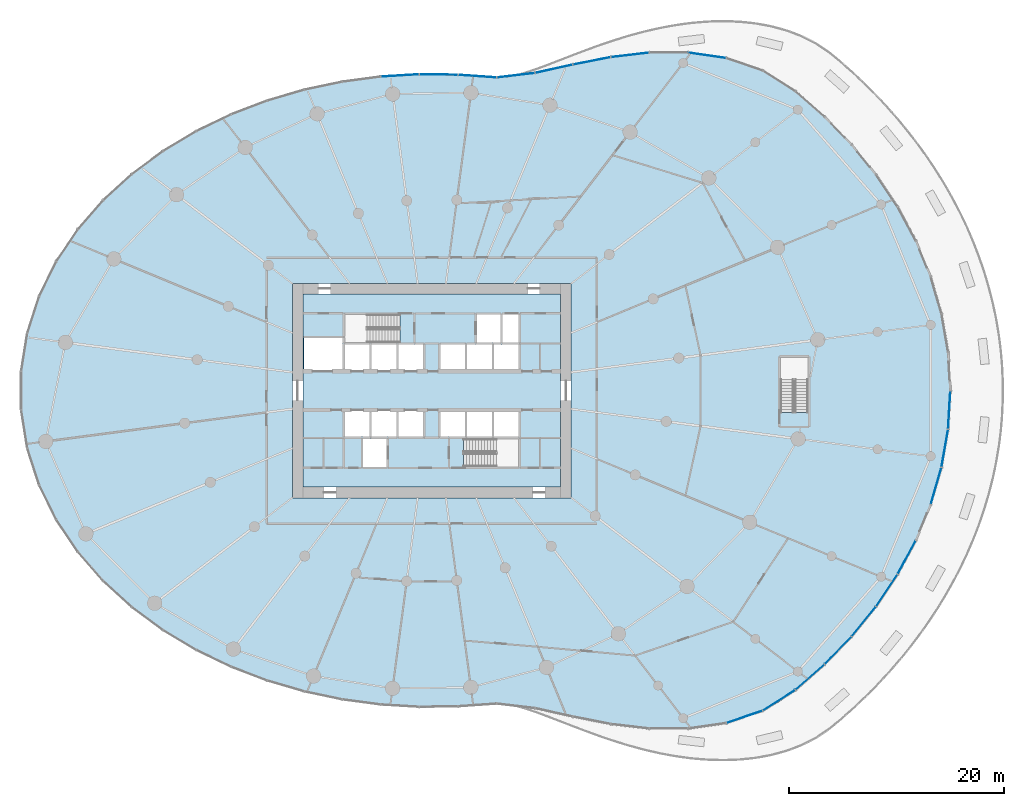
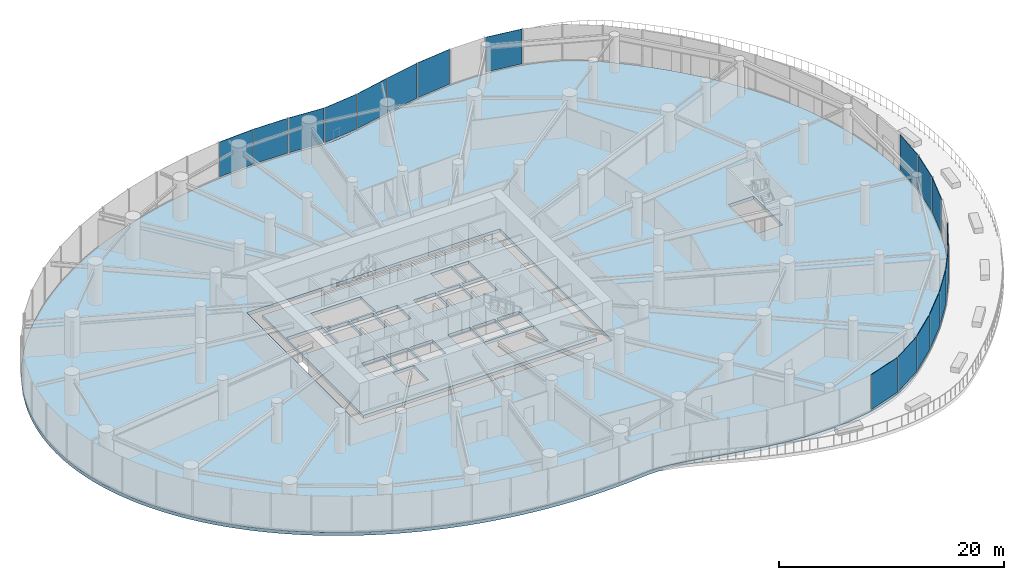
# One storey, part 10 of 21: 18 plates, 2 slabs, 5 elements without a shape of their own.
"""IFC4 building model written with IfcOpenShell, lengths in metres."""

from ifc_helpers import new_model, si_unit, direction, frame, origin, origin_2d, place, context, subcontext, project, spatial, line, indexed_curve, rectangle, outline, extrude, source, transform, mapped, material, layer, layer_set, type_object, element, aggregate, save


model = new_model("IFC4")

# Units and contexts
model_context = context("Model", 3, precision=1e-05, world=origin(), true_north=direction((0.0, 1.0)))
body_context = subcontext(model_context, "Body", "Model", "MODEL_VIEW")
ifc_project = project(units=[si_unit("LENGTHUNIT", "METRE"), si_unit("AREAUNIT", "SQUARE_METRE"), si_unit("VOLUMEUNIT", "CUBIC_METRE"), si_unit("PLANEANGLEUNIT", "RADIAN"), si_unit("MASSUNIT", "GRAM", prefix="KILO")], contexts=[model_context])

# Site, building, storey
site_placement = place(None, origin())
site = spatial("IfcSite", under=ifc_project, at=site_placement, CompositionType="ELEMENT")
building_placement = place(site_placement, origin())
building = spatial("IfcBuilding", under=site, at=building_placement, Name="Spindrift Exchange Tower", CompositionType="ELEMENT")
storey_placement = place(building_placement, frame((0.0, 0.0, 9.39990234375)))
storey = spatial("IfcBuildingStorey", under=building, at=storey_placement, Name="L02", CompositionType="ELEMENT", Elevation=9.39990234375)

# Slabs
ifc_material_1 = material(Name="Concrete 50 MPa", Category="concrete")
ifc_layer_1 = layer(ifc_material_1, 0.35009765625)
ifc_layer_set_1 = layer_set([ifc_layer_1], Name="RC Floor Slab 350 Concrete 50 MPa")
slab_type_1 = type_object("IfcSlabType", Name="RC Floor Slab 350 Concrete 50 MPa", PredefinedType="FLOOR", material=ifc_layer_set_1)
slab_1_placement = place(storey_placement, frame((0.0, 0.0, -0.349853515625)))
element("IfcSlab", 1, at=slab_1_placement, inside=storey, type_object=slab_type_1, Name="Floor slab L02", PredefinedType="FLOOR", context=body_context, shape_type="SweptSolid", body=[
    extrude(outline(indexed_curve([(100.35009765625, 48.0), (100.338623046875, 48.84375), (100.304443359375, 49.686767578125), (100.24755859375, 50.528564453125), (100.168212890625, 51.3681640625), (100.06640625, 52.205322265625), (99.942138671875, 53.038818359375), (99.796142578125, 53.86865234375), (99.628173828125, 54.693603515625), (99.43896484375, 55.513671875), (99.228515625, 56.32763671875), (98.99755859375, 57.135498046875), (98.74609375, 57.936279296875), (98.47509765625, 58.7294921875), (98.1845703125, 59.51513671875), (97.875, 60.292236328125), (97.547119140625, 61.060302734375), (97.201416015625, 61.8193359375), (96.83837890625, 62.56884765625), (96.45849609375, 63.308349609375), (96.062255859375, 64.037353515625), (95.650390625, 64.755859375), (95.2236328125, 65.46337890625), (94.781982421875, 66.159912109375), (94.32666015625, 66.84521484375), (93.85791015625, 67.518798828125), (93.376220703125, 68.180419921875), (92.88232421875, 68.83056640625), (92.376708984375, 69.468505859375), (91.859619140625, 70.094482421875), (91.33203125, 70.70849609375), (90.794189453125, 71.31005859375), (90.246826171875, 71.8994140625), (89.6904296875, 72.476318359375), (89.125, 73.041259765625), (88.551513671875, 73.59375), (87.97021484375, 74.1337890625), (87.381591796875, 74.662109375), (86.785888671875, 75.177734375), (86.183837890625, 75.681396484375), (85.575439453125, 76.173095703125), (84.947509765625, 76.640869140625), (84.287841796875, 77.072021484375), (83.599853515625, 77.46728515625), (82.885986328125, 77.826416015625), (82.149658203125, 78.149658203125), (81.393310546875, 78.4375), (80.619384765625, 78.690673828125), (79.831298828125, 78.90966796875), (79.031005859375, 79.095458984375), (78.220947265625, 79.248779296875), (77.40380859375, 79.37109375), (76.58154296875, 79.462890625), (75.756591796875, 79.526123046875), (74.93115234375, 79.56201171875), (74.106689453125, 79.57177734375), (73.28564453125, 79.557373046875), (72.469482421875, 79.520263671875), (71.65966796875, 79.462158203125), (70.85791015625, 79.385009765625), (70.06591796875, 79.291015625), (69.2841796875, 79.181396484375), (68.514404296875, 79.05908203125), (67.757568359375, 78.92578125), (66.285400390625, 78.63525390625), (64.873291015625, 78.327880859375), (62.873779296875, 77.8759765625), (61.62060546875, 77.608642578125), (61.016845703125, 77.49267578125), (60.427978515625, 77.3916015625), (59.85302734375, 77.3076171875), (59.291259765625, 77.24365234375), (58.74169921875, 77.20166015625), (58.203369140625, 77.184326171875), (57.6748046875, 77.19384765625), (57.154296875, 77.232421875), (56.637939453125, 77.283447265625), (55.606201171875, 77.369384765625), (55.090576171875, 77.404052734375), (54.059814453125, 77.45751953125), (53.02978515625, 77.489501953125), (52.514892578125, 77.497314453125), (52.0, 77.5), (50.97021484375, 77.489501953125), (49.940185546875, 77.45751953125), (48.909423828125, 77.404052734375), (48.393798828125, 77.369384765625), (47.362060546875, 77.283447265625), (46.328857421875, 77.17578125), (45.811767578125, 77.11328125), (44.776611328125, 76.971923828125), (44.25830078125, 76.892578125), (43.220458984375, 76.716552734375), (42.180908203125, 76.5166015625), (41.1396484375, 76.29248046875), (40.6181640625, 76.1708984375), (39.57421875, 75.90869140625), (38.52880859375, 75.6201171875), (37.48193359375, 75.304443359375), (36.958251953125, 75.135986328125), (35.91015625, 74.778076171875), (35.385986328125, 74.587890625), (34.337890625, 74.185302734375), (33.814208984375, 73.97216796875), (32.767578125, 73.522216796875), (32.2451171875, 73.284912109375), (31.20263671875, 72.785400390625), (30.682861328125, 72.522705078125), (29.64697265625, 71.970703125), (28.61767578125, 71.38232421875), (27.596435546875, 70.756591796875), (27.089599609375, 70.429443359375), (26.0849609375, 69.745361328125), (25.587646484375, 69.38818359375), (25.093994140625, 69.021240234375), (24.604736328125, 68.643798828125), (24.119873046875, 68.256103515625), (23.639892578125, 67.85791015625), (23.165283203125, 67.44921875), (22.6962890625, 67.030029296875), (22.233642578125, 66.60009765625), (21.77734375, 66.15966796875), (21.328125, 65.70849609375), (20.886474609375, 65.24658203125), (20.452880859375, 64.77392578125), (20.02783203125, 64.29052734375), (19.61181640625, 63.796875), (19.205078125, 63.29248046875), (18.80859375, 62.777587890625), (18.4228515625, 62.252685546875), (18.04833984375, 61.71728515625), (17.685302734375, 61.172119140625), (17.334716796875, 60.6171875), (16.996826171875, 60.052490234375), (16.67236328125, 59.478759765625), (16.36181640625, 58.895751953125), (16.0654296875, 58.30419921875), (15.7841796875, 57.7041015625), (15.5185546875, 57.095947265625), (15.268798828125, 56.47998046875), (15.035400390625, 55.857177734375), (14.818603515625, 55.227294921875), (14.619384765625, 54.59130859375), (14.43798828125, 53.94921875), (14.2744140625, 53.302001953125), (14.12939453125, 52.64990234375), (14.0029296875, 51.99365234375), (13.895751953125, 51.333740234375), (13.8076171875, 50.670654296875), (13.73876953125, 50.005126953125), (13.689453125, 49.337890625), (13.659912109375, 48.669189453125), (13.64990234375, 48.0), (13.659912109375, 47.330810546875), (13.689453125, 46.662109375), (13.73876953125, 45.994873046875), (13.8076171875, 45.329345703125), (13.895751953125, 44.666259765625), (14.0029296875, 44.00634765625), (14.12939453125, 43.35009765625), (14.2744140625, 42.697998046875), (14.43798828125, 42.05078125), (14.619384765625, 41.40869140625), (14.818603515625, 40.772705078125), (15.035400390625, 40.142822265625), (15.268798828125, 39.52001953125), (15.5185546875, 38.904052734375), (15.7841796875, 38.2958984375), (16.0654296875, 37.69580078125), (16.36181640625, 37.104248046875), (16.67236328125, 36.521240234375), (16.996826171875, 35.947509765625), (17.334716796875, 35.3828125), (17.685302734375, 34.827880859375), (18.04833984375, 34.28271484375), (18.4228515625, 33.747314453125), (18.80859375, 33.222412109375), (19.205078125, 32.70751953125), (19.61181640625, 32.203125), (20.02783203125, 31.70947265625), (20.452880859375, 31.22607421875), (20.886474609375, 30.75341796875), (21.328125, 30.29150390625), (21.77734375, 29.84033203125), (22.233642578125, 29.39990234375), (22.6962890625, 28.969970703125), (23.165283203125, 28.55078125), (23.639892578125, 28.14208984375), (24.119873046875, 27.743896484375), (24.604736328125, 27.356201171875), (25.093994140625, 26.978759765625), (25.587646484375, 26.61181640625), (26.0849609375, 26.254638671875), (27.089599609375, 25.570556640625), (27.596435546875, 25.243408203125), (28.61767578125, 24.61767578125), (29.64697265625, 24.029296875), (30.682861328125, 23.477294921875), (31.20263671875, 23.214599609375), (32.2451171875, 22.715087890625), (32.767578125, 22.477783203125), (33.814208984375, 22.02783203125), (34.337890625, 21.814697265625), (35.385986328125, 21.412109375), (35.91015625, 21.221923828125), (36.958251953125, 20.864013671875), (37.48193359375, 20.695556640625), (38.52880859375, 20.3798828125), (39.57421875, 20.09130859375), (40.6181640625, 19.8291015625), (41.1396484375, 19.70751953125), (42.180908203125, 19.4833984375), (43.220458984375, 19.283447265625), (44.25830078125, 19.107421875), (44.776611328125, 19.028076171875), (45.811767578125, 18.88671875), (46.328857421875, 18.82421875), (47.362060546875, 18.716552734375), (48.393798828125, 18.630615234375), (48.909423828125, 18.595947265625), (49.940185546875, 18.54248046875), (50.97021484375, 18.510498046875), (52.0, 18.5), (52.514892578125, 18.502685546875), (53.02978515625, 18.510498046875), (54.059814453125, 18.54248046875), (55.090576171875, 18.595947265625), (55.606201171875, 18.630615234375), (56.637939453125, 18.716552734375), (57.154296875, 18.767578125), (57.6748046875, 18.80615234375), (58.203369140625, 18.815673828125), (58.74169921875, 18.79833984375), (59.291259765625, 18.75634765625), (59.85302734375, 18.6923828125), (60.427978515625, 18.6083984375), (61.016845703125, 18.50732421875), (61.62060546875, 18.391357421875), (62.873779296875, 18.1240234375), (64.873291015625, 17.672119140625), (66.285400390625, 17.36474609375), (67.757568359375, 17.07421875), (68.514404296875, 16.94091796875), (69.2841796875, 16.818603515625), (70.06591796875, 16.708984375), (70.85791015625, 16.614990234375), (71.65966796875, 16.537841796875), (72.469482421875, 16.479736328125), (73.28564453125, 16.442626953125), (74.106689453125, 16.42822265625), (74.93115234375, 16.43798828125), (75.756591796875, 16.473876953125), (76.58154296875, 16.537109375), (77.40380859375, 16.62890625), (78.220947265625, 16.751220703125), (79.031005859375, 16.904541015625), (79.831298828125, 17.09033203125), (80.619384765625, 17.309326171875), (81.393310546875, 17.5625), (82.149658203125, 17.850341796875), (82.885986328125, 18.173583984375), (83.599853515625, 18.53271484375), (84.287841796875, 18.927978515625), (84.947509765625, 19.359130859375), (85.575439453125, 19.826904296875), (86.183837890625, 20.318603515625), (86.785888671875, 20.822265625), (87.381591796875, 21.337890625), (87.97021484375, 21.8662109375), (88.551513671875, 22.40625), (89.125, 22.958740234375), (89.6904296875, 23.523681640625), (90.246826171875, 24.1005859375), (90.794189453125, 24.68994140625), (91.33203125, 25.29150390625), (91.859619140625, 25.905517578125), (92.376708984375, 26.531494140625), (92.88232421875, 27.16943359375), (93.376220703125, 27.819580078125), (93.85791015625, 28.481201171875), (94.32666015625, 29.15478515625), (94.781982421875, 29.840087890625), (95.2236328125, 30.53662109375), (95.650390625, 31.244140625), (96.062255859375, 31.962646484375), (96.45849609375, 32.691650390625), (96.83837890625, 33.43115234375), (97.201416015625, 34.1806640625), (97.547119140625, 34.939697265625), (97.875, 35.707763671875), (98.1845703125, 36.48486328125), (98.47509765625, 37.2705078125), (98.74609375, 38.063720703125), (98.99755859375, 38.864501953125), (99.228515625, 39.67236328125), (99.43896484375, 40.486328125), (99.628173828125, 41.306396484375), (99.796142578125, 42.13134765625), (99.942138671875, 42.961181640625), (100.06640625, 43.794677734375), (100.168212890625, 44.6318359375), (100.24755859375, 45.471435546875), (100.304443359375, 46.313232421875), (100.338623046875, 47.15625)], segments=[line(1, 2, 3, 4, 5, 6, 7, 8, 9, 10, 11, 12, 13, 14, 15, 16, 17, 18, 19, 20, 21, 22, 23, 24, 25, 26, 27, 28, 29, 30, 31, 32, 33, 34, 35, 36, 37, 38, 39, 40, 41, 42, 43, 44, 45, 46, 47, 48, 49, 50, 51, 52, 53, 54, 55, 56, 57, 58, 59, 60, 61, 62, 63, 64, 65, 66, 67, 68, 69, 70, 71, 72, 73, 74, 75, 76, 77, 78, 79, 80, 81, 82, 83, 84, 85, 86, 87, 88, 89, 90, 91, 92, 93, 94, 95, 96, 97, 98, 99, 100, 101, 102, 103, 104, 105, 106, 107, 108, 109, 110, 111, 112, 113, 114, 115, 116, 117, 118, 119, 120, 121, 122, 123, 124, 125, 126, 127, 128, 129, 130, 131, 132, 133, 134, 135, 136, 137, 138, 139, 140, 141, 142, 143, 144, 145, 146, 147, 148, 149, 150, 151, 152, 153, 154, 155, 156, 157, 158, 159, 160, 161, 162, 163, 164, 165, 166, 167, 168, 169, 170, 171, 172, 173, 174, 175, 176, 177, 178, 179, 180, 181, 182, 183, 184, 185, 186, 187, 188, 189, 190, 191, 192, 193, 194, 195, 196, 197, 198, 199, 200, 201, 202, 203, 204, 205, 206, 207, 208, 209, 210, 211, 212, 213, 214, 215, 216, 217, 218, 219, 220, 221, 222, 223, 224, 225, 226, 227, 228, 229, 230, 231, 232, 233, 234, 235, 236, 237, 238, 239, 240, 241, 242, 243, 244, 245, 246, 247, 248, 249, 250, 251, 252, 253, 254, 255, 256, 257, 258, 259, 260, 261, 262, 263, 264, 265, 266, 267, 268, 269, 270, 271, 272, 273, 274, 275, 276, 277, 278, 279, 280, 281, 282, 283, 284, 285, 286, 287, 288, 289, 290, 291, 292, 293, 294, 295, 296, 297, 298, 299, 300, 301, 302, 303, 304, 1)], self_intersect=False), holes=[indexed_curve([(39.0, 38.0), (65.0, 38.0), (65.0, 58.0), (39.0, 58.0)], segments=[line(1, 2, 3, 4, 1)], self_intersect=False), indexed_curve([(87.093994140625, 45.9560546875), (84.506103515625, 45.9560546875), (84.506103515625, 51.093994140625), (87.093994140625, 51.093994140625)], segments=[line(1, 2, 3, 4, 1)], self_intersect=False)]), origin(), (0.0, 0.0, 1.0), 0.349853515625),
])
ifc_layer_2 = layer(ifc_material_1, 0.35009765625)
ifc_layer_set_2 = layer_set([ifc_layer_2], Name="SL-CORE-FLOOR-350")
slab_type_2 = type_object("IfcSlabType", Name="SL-CORE-FLOOR-350", PredefinedType="FLOOR", material=ifc_layer_set_2)
slab_2_placement = place(storey_placement, frame((0.0, 0.0, -0.349853515625)))
element("IfcSlab", 2, at=slab_2_placement, inside=storey, type_object=slab_type_2, Name="L02 Core floor slab", PredefinedType="FLOOR", context=body_context, shape_type="SweptSolid", body=[
    extrude(outline(indexed_curve([(40.0, 39.0), (40.0, 57.0), (64.0, 57.0), (64.0, 39.0)], segments=[line(1, 2, 3, 4, 1)], self_intersect=False), holes=[indexed_curve([(47.800048828125, 43.5), (45.60009765625, 43.5), (45.60009765625, 40.89990234375), (47.800048828125, 40.89990234375)], segments=[line(1, 2, 3, 4, 1)], self_intersect=False), indexed_curve([(46.199951171875, 46.10009765625), (43.89990234375, 46.10009765625), (43.89990234375, 43.699951171875), (46.199951171875, 43.699951171875)], segments=[line(1, 2, 3, 4, 1)], self_intersect=False), indexed_curve([(48.699951171875, 46.10009765625), (46.39990234375, 46.10009765625), (46.39990234375, 43.699951171875), (48.699951171875, 43.699951171875)], segments=[line(1, 2, 3, 4, 1)], self_intersect=False), indexed_curve([(51.199951171875, 46.10009765625), (48.89990234375, 46.10009765625), (48.89990234375, 43.699951171875), (51.199951171875, 43.699951171875)], segments=[line(1, 2, 3, 4, 1)], self_intersect=False), indexed_curve([(46.199951171875, 52.300048828125), (43.89990234375, 52.300048828125), (43.89990234375, 49.89990234375), (46.199951171875, 49.89990234375)], segments=[line(1, 2, 3, 4, 1)], self_intersect=False), indexed_curve([(48.699951171875, 52.300048828125), (46.39990234375, 52.300048828125), (46.39990234375, 49.89990234375), (48.699951171875, 49.89990234375)], segments=[line(1, 2, 3, 4, 1)], self_intersect=False), indexed_curve([(51.199951171875, 52.300048828125), (48.89990234375, 52.300048828125), (48.89990234375, 49.89990234375), (51.199951171875, 49.89990234375)], segments=[line(1, 2, 3, 4, 1)], self_intersect=False), indexed_curve([(55.10009765625, 49.89990234375), (55.10009765625, 52.300048828125), (52.800048828125, 52.300048828125), (52.800048828125, 49.89990234375)], segments=[line(1, 2, 3, 4, 1)], self_intersect=False), indexed_curve([(43.699951171875, 49.89990234375), (43.699951171875, 52.89990234375), (40.10009765625, 52.89990234375), (40.10009765625, 49.89990234375)], segments=[line(1, 2, 3, 4, 1)], self_intersect=False), indexed_curve([(43.906005859375, 55.093994140625), (43.906005859375, 52.506103515625), (49.0439453125, 52.506103515625), (49.0439453125, 55.093994140625)], segments=[line(1, 2, 3, 4, 1)], self_intersect=False), indexed_curve([(60.093994140625, 40.906005859375), (60.093994140625, 43.493896484375), (54.9560546875, 43.493896484375), (54.9560546875, 40.906005859375)], segments=[line(1, 2, 3, 4, 1)], self_intersect=False), indexed_curve([(55.10009765625, 46.10009765625), (52.800048828125, 46.10009765625), (52.800048828125, 43.699951171875), (55.10009765625, 43.699951171875)], segments=[line(1, 2, 3, 4, 1)], self_intersect=False), indexed_curve([(57.60009765625, 43.699951171875), (57.60009765625, 46.10009765625), (55.300048828125, 46.10009765625), (55.300048828125, 43.699951171875)], segments=[line(1, 2, 3, 4, 1)], self_intersect=False), indexed_curve([(60.10009765625, 43.699951171875), (60.10009765625, 46.10009765625), (57.800048828125, 46.10009765625), (57.800048828125, 43.699951171875)], segments=[line(1, 2, 3, 4, 1)], self_intersect=False), indexed_curve([(57.60009765625, 52.300048828125), (55.300048828125, 52.300048828125), (55.300048828125, 49.89990234375), (57.60009765625, 49.89990234375)], segments=[line(1, 2, 3, 4, 1)], self_intersect=False), indexed_curve([(60.10009765625, 52.300048828125), (57.800048828125, 52.300048828125), (57.800048828125, 49.89990234375), (60.10009765625, 49.89990234375)], segments=[line(1, 2, 3, 4, 1)], self_intersect=False), indexed_curve([(58.39990234375, 52.5), (58.39990234375, 55.10009765625), (56.199951171875, 55.10009765625), (56.199951171875, 52.5)], segments=[line(1, 2, 3, 4, 1)], self_intersect=False), indexed_curve([(60.10009765625, 52.5), (60.10009765625, 55.10009765625), (58.60009765625, 55.10009765625), (58.60009765625, 52.5)], segments=[line(1, 2, 3, 4, 1)], self_intersect=False)]), origin(), (0.0, 0.0, 1.0), 0.349853515625),
])

# Curtain wall, plates
ifc_material_2 = material(Name="Fritted laminated glass with bronze frame", Category="glass")
ifc_layer_3 = layer(ifc_material_2, 0.219970703125)
ifc_layer_set_3 = layer_set([ifc_layer_3], Name="PODIUM BRONZE GLAZED WALL")
curtain_wall_type = type_object("IfcCurtainWallType", Name="PODIUM BRONZE GLAZED WALL", PredefinedType="NOTDEFINED", material=ifc_layer_set_3)
curtain_wall_1_placement = place(storey_placement, origin())
curtain_wall_1 = element("IfcCurtainWall", 3, at=curtain_wall_1_placement, inside=storey, type_object=curtain_wall_type, Name="L02 Podium Bronze Glazed Wall run 11", PredefinedType="NOTDEFINED")
ifc_material_3 = material(Name="Bronze fritted laminated glass, open frit", Category="glass")
ifc_layer_4 = layer(ifc_material_3, 0.0400390625)
ifc_layer_set_4 = layer_set([ifc_layer_4], Name="PODIUM BRONZE GLAZED WALL PANEL OPEN FRIT 600")
plate_type_1 = type_object("IfcPlateType", Name="PODIUM BRONZE GLAZED WALL PANEL OPEN FRIT 600", PredefinedType="CURTAIN_PANEL", material=ifc_layer_set_4)
shared_shape_1 = source(origin(), body_context, "Body", "SweptSolid", [
    extrude(rectangle(XDim=3.5185546875, YDim=0.0400390625, at=origin_2d()), origin(), (0.0, 0.0, 1.0), 3.7900390625),
])
plate_1_placement = place(storey_placement, frame((99.830322265625, 42.6201171875, 0.16015625), z_axis=(0.0, 0.0, 1.0), x_axis=(0.171427030658, 0.985196819504, 0.0)))
plate_1 = element("IfcPlate", 4, at=plate_1_placement, type_object=plate_type_1, Name="L02 panel CW-P.66", PredefinedType="CURTAIN_PANEL", context=body_context, shape_type="MappedRepresentation", body=[
    mapped(shared_shape_1, transform((0.0, 0.0, 0.0), scale=1.0)),
])
ifc_layer_5 = layer(ifc_material_3, 0.0400390625)
ifc_layer_set_5 = layer_set([ifc_layer_5], Name="PODIUM BRONZE GLAZED WALL PANEL OPEN FRIT 480")
plate_type_2 = type_object("IfcPlateType", Name="PODIUM BRONZE GLAZED WALL PANEL OPEN FRIT 480", PredefinedType="CURTAIN_PANEL", material=ifc_layer_set_5)
shared_shape_2 = source(origin(), body_context, "Body", "SweptSolid", [
    extrude(rectangle(XDim=3.5185546875, YDim=0.0400390625, at=origin_2d()), origin(), (0.0, 0.0, 1.0), 3.7900390625),
])
plate_2_placement = place(storey_placement, frame((99.016357421875, 39.110107421875, 0.16015625), z_axis=(0.0, 0.0, 1.0), x_axis=(0.279716746711, 0.960082570204, 0.0)))
plate_2 = element("IfcPlate", 5, at=plate_2_placement, type_object=plate_type_2, Name="L02 panel CW-P.65", PredefinedType="CURTAIN_PANEL", context=body_context, shape_type="MappedRepresentation", body=[
    mapped(shared_shape_2, transform((0.0, 0.0, 0.0), scale=1.0)),
])
plate_3_placement = place(storey_placement, frame((100.244873046875, 46.19873046875, 0.16015625), z_axis=(0.0, 0.0, 1.0), x_axis=(0.05827666822, 0.998300470771, 0.0)))
plate_3 = element("IfcPlate", 6, at=plate_3_placement, type_object=plate_type_2, Name="L02 panel CW-P.67", PredefinedType="CURTAIN_PANEL", context=body_context, shape_type="MappedRepresentation", body=[
    mapped(shared_shape_2, transform((0.0, 0.0, 0.0), scale=1.0)),
])
ifc_layer_6 = layer(ifc_material_3, 0.0400390625)
ifc_layer_set_6 = layer_set([ifc_layer_6], Name="PODIUM BRONZE GLAZED WALL PANEL OPEN FRIT 360")
plate_type_3 = type_object("IfcPlateType", Name="PODIUM BRONZE GLAZED WALL PANEL OPEN FRIT 360", PredefinedType="CURTAIN_PANEL", material=ifc_layer_set_6)
shared_shape_3 = source(origin(), body_context, "Body", "SweptSolid", [
    extrude(rectangle(XDim=3.51904296875, YDim=0.0400390625, at=origin_2d()), origin(), (0.0, 0.0, 1.0), 3.7900390625),
])
plate_4_placement = place(storey_placement, frame((96.278076171875, 32.45361328125, 0.16015625), z_axis=(0.0, 0.0, 1.0), x_axis=(0.47447849006, 0.880267097232, 0.0)))
plate_4 = element("IfcPlate", 7, at=plate_4_placement, type_object=plate_type_3, Name="L02 panel CW-P.63", PredefinedType="CURTAIN_PANEL", context=body_context, shape_type="MappedRepresentation", body=[
    mapped(shared_shape_3, transform((0.0, 0.0, 0.0), scale=1.0)),
])
shared_shape_4 = source(origin(), body_context, "Body", "SweptSolid", [
    extrude(rectangle(XDim=3.519287109375, YDim=0.0400390625, at=origin_2d()), origin(), (0.0, 0.0, 1.0), 3.7900390625),
])
plate_5_placement = place(storey_placement, frame((92.272216796875, 26.46826171875, 0.16015625), z_axis=(0.0, 0.0, 1.0), x_axis=(0.631301361235, 0.77553761437, 0.0)))
plate_5 = element("IfcPlate", 8, at=plate_5_placement, type_object=plate_type_1, Name="L02 panel CW-P.61", PredefinedType="CURTAIN_PANEL", context=body_context, shape_type="MappedRepresentation", body=[
    mapped(shared_shape_4, transform((0.0, 0.0, 0.0), scale=1.0)),
])

# Curtain wall, plate
curtain_wall_2_placement = place(storey_placement, origin())
curtain_wall_2 = element("IfcCurtainWall", 9, at=curtain_wall_2_placement, inside=storey, type_object=curtain_wall_type, Name="L02 Podium Bronze Glazed Wall run 10", PredefinedType="NOTDEFINED")
shared_shape_5 = source(origin(), body_context, "Body", "SweptSolid", [
    extrude(rectangle(XDim=3.510498046875, YDim=0.0400390625, at=origin_2d()), origin(), (0.0, 0.0, 1.0), 3.7900390625),
])
plate_6_placement = place(storey_placement, frame((84.38818359375, 19.130615234375, 0.16015625), z_axis=(0.0, 0.0, 1.0), x_axis=(0.844241876753, 0.535962362052, 0.0)))
plate_6 = element("IfcPlate", 10, at=plate_6_placement, type_object=plate_type_1, Name="L02 panel CW-P.58", PredefinedType="CURTAIN_PANEL", context=body_context, shape_type="MappedRepresentation", body=[
    mapped(shared_shape_5, transform((0.0, 0.0, 0.0), scale=1.0)),
])

curtain_wall_3_placement = place(storey_placement, origin())
curtain_wall_3 = element("IfcCurtainWall", 11, at=curtain_wall_3_placement, inside=storey, type_object=curtain_wall_type, Name="L02 Podium Bronze Glazed Wall run 2", PredefinedType="NOTDEFINED")
shared_shape_6 = source(origin(), body_context, "Body", "SweptSolid", [
    extrude(rectangle(XDim=3.516357421875, YDim=0.0400390625, at=origin_2d()), origin(), (0.0, 0.0, 1.0), 3.7900390625),
])
plate_7_placement = place(storey_placement, frame((77.672607421875, 79.25634765625, 0.16015625), z_axis=(0.0, 0.0, 1.0), x_axis=(-0.989570085425, 0.144052233693, 0.0)))
plate_7 = element("IfcPlate", 12, at=plate_7_placement, type_object=plate_type_2, Name="L02 panel CW-P.12", PredefinedType="CURTAIN_PANEL", context=body_context, shape_type="MappedRepresentation", body=[
    mapped(shared_shape_6, transform((0.0, 0.0, 0.0), scale=1.0)),
])
aggregate(curtain_wall_3, [plate_7])

# Curtain wall, plates
curtain_wall_4_placement = place(storey_placement, origin())
curtain_wall_4 = element("IfcCurtainWall", 13, at=curtain_wall_4_placement, inside=storey, type_object=curtain_wall_type, Name="L02 Podium Bronze Glazed Wall run 3", PredefinedType="NOTDEFINED")
shared_shape_7 = source(origin(), body_context, "Body", "SweptSolid", [
    extrude(rectangle(XDim=3.519287109375, YDim=0.0400390625, at=origin_2d()), origin(), (0.0, 0.0, 1.0), 3.7900390625),
])
plate_8_placement = place(storey_placement, frame((70.488037109375, 79.29736328125, 0.16015625), z_axis=(0.0, 0.0, 1.0), x_axis=(-0.993251251773, -0.115982545462, 0.0)))
plate_8 = element("IfcPlate", 14, at=plate_8_placement, type_object=plate_type_2, Name="L02 panel CW-P.14", PredefinedType="CURTAIN_PANEL", context=body_context, shape_type="MappedRepresentation", body=[
    mapped(shared_shape_7, transform((0.0, 0.0, 0.0), scale=1.0)),
])
shared_shape_8 = source(origin(), body_context, "Body", "SweptSolid", [
    extrude(rectangle(XDim=3.52001953125, YDim=0.0400390625, at=origin_2d()), origin(), (0.0, 0.0, 1.0), 3.7900390625),
])
plate_9_placement = place(storey_placement, frame((66.924560546875, 78.739013671875, 0.16015625), z_axis=(0.0, 0.0, 1.0), x_axis=(-0.981124620762, -0.193376520121, 0.0)))
plate_9 = element("IfcPlate", 15, at=plate_9_placement, type_object=plate_type_2, Name="L02 panel CW-P.15", PredefinedType="CURTAIN_PANEL", context=body_context, shape_type="MappedRepresentation", body=[
    mapped(shared_shape_8, transform((0.0, 0.0, 0.0), scale=1.0)),
])
shared_shape_9 = source(origin(), body_context, "Body", "SweptSolid", [
    extrude(rectangle(XDim=3.5205078125, YDim=0.0400390625, at=origin_2d()), origin(), (0.0, 0.0, 1.0), 3.7900390625),
])
plate_10_placement = place(storey_placement, frame((63.39111328125, 78.0, 0.16015625), z_axis=(0.0, 0.0, 1.0), x_axis=(-0.976410708244, -0.215921580271, 0.0)))
plate_10 = element("IfcPlate", 16, at=plate_10_placement, type_object=plate_type_1, Name="L02 panel CW-P.16", PredefinedType="CURTAIN_PANEL", context=body_context, shape_type="MappedRepresentation", body=[
    mapped(shared_shape_9, transform((0.0, 0.0, 0.0), scale=1.0)),
])
shared_shape_10 = source(origin(), body_context, "Body", "SweptSolid", [
    extrude(rectangle(XDim=3.51416015625, YDim=0.0400390625, at=origin_2d()), origin(), (0.0, 0.0, 1.0), 3.7900390625),
])
plate_11_placement = place(storey_placement, frame((59.838623046875, 77.398681640625, 0.16015625), z_axis=(0.0, 0.0, 1.0), x_axis=(-0.993082194643, -0.117421270149, 0.0)))
plate_11 = element("IfcPlate", 17, at=plate_11_placement, type_object=plate_type_3, Name="L02 panel CW-P.17", PredefinedType="CURTAIN_PANEL", context=body_context, shape_type="MappedRepresentation", body=[
    mapped(shared_shape_10, transform((0.0, 0.0, 0.0), scale=1.0)),
])
shared_shape_11 = source(origin(), body_context, "Body", "SweptSolid", [
    extrude(rectangle(XDim=3.51953125, YDim=0.0400390625, at=origin_2d()), origin(), (0.0, 0.0, 1.0), 3.7900390625),
])
plate_12_placement = place(storey_placement, frame((56.248779296875, 77.313232421875, 0.16015625), z_axis=(0.0, 0.0, 1.0), x_axis=(-0.99755613022, 0.069869643347, 0.0)))
plate_12 = element("IfcPlate", 18, at=plate_12_placement, type_object=plate_type_2, Name="L02 panel CW-P.18", PredefinedType="CURTAIN_PANEL", context=body_context, shape_type="MappedRepresentation", body=[
    mapped(shared_shape_11, transform((0.0, 0.0, 0.0), scale=1.0)),
])
aggregate(curtain_wall_4, [plate_8, plate_9, plate_10, plate_11, plate_12])

# Plate
plate_13_placement = place(storey_placement, frame((89.877685546875, 23.771728515625, 0.16015625), z_axis=(0.0, 0.0, 1.0), x_axis=(0.695417551356, 0.718605892869, 0.0)))
plate_13 = element("IfcPlate", 19, at=plate_13_placement, type_object=plate_type_2, Name="L02 panel CW-P.60", PredefinedType="CURTAIN_PANEL", context=body_context, shape_type="MappedRepresentation", body=[
    mapped(shared_shape_11, transform((0.0, 0.0, 0.0), scale=1.0)),
])

# Curtain wall, plate
curtain_wall_5_placement = place(storey_placement, origin())
curtain_wall_5 = element("IfcCurtainWall", 20, at=curtain_wall_5_placement, inside=storey, type_object=curtain_wall_type, Name="L02 Podium Bronze Glazed Wall run 4", PredefinedType="NOTDEFINED")
shared_shape_12 = source(origin(), body_context, "Body", "SweptSolid", [
    extrude(rectangle(XDim=3.519775390625, YDim=0.0400390625, at=origin_2d()), origin(), (0.0, 0.0, 1.0), 3.7900390625),
])
plate_14_placement = place(storey_placement, frame((52.6435546875, 77.462646484375, 0.16015625), z_axis=(0.0, 0.0, 1.0), x_axis=(-0.999916303619, 0.012937764785, 0.0)))
plate_14 = element("IfcPlate", 21, at=plate_14_placement, type_object=plate_type_3, Name="L02 panel CW-P.19", PredefinedType="CURTAIN_PANEL", context=body_context, shape_type="MappedRepresentation", body=[
    mapped(shared_shape_12, transform((0.0, 0.0, 0.0), scale=1.0)),
])

# Plate
plate_15_placement = place(storey_placement, frame((87.265380859375, 21.28515625, 0.16015625), z_axis=(0.0, 0.0, 1.0), x_axis=(0.752037706991, 0.659120085616, 0.0)))
plate_15 = element("IfcPlate", 22, at=plate_15_placement, type_object=plate_type_3, Name="L02 panel CW-P.59", PredefinedType="CURTAIN_PANEL", context=body_context, shape_type="MappedRepresentation", body=[
    mapped(shared_shape_12, transform((0.0, 0.0, 0.0), scale=1.0)),
])

shared_shape_13 = source(origin(), body_context, "Body", "SweptSolid", [
    extrude(rectangle(XDim=3.519775390625, YDim=0.0400390625, at=origin_2d()), origin(), (0.0, 0.0, 1.0), 3.7900390625),
])
plate_16_placement = place(storey_placement, frame((49.037109375, 77.37841796875, 0.16015625), z_axis=(0.0, 0.0, 1.0), x_axis=(-0.998223123541, -0.059586874636, 0.0)))
plate_16 = element("IfcPlate", 23, at=plate_16_placement, type_object=plate_type_1, Name="L02 panel CW-P.20", PredefinedType="CURTAIN_PANEL", context=body_context, shape_type="MappedRepresentation", body=[
    mapped(shared_shape_13, transform((0.0, 0.0, 0.0), scale=1.0)),
])

aggregate(curtain_wall_5, [plate_14, plate_16])

shared_shape_14 = source(origin(), body_context, "Body", "SweptSolid", [
    extrude(rectangle(XDim=3.519287109375, YDim=0.0400390625, at=origin_2d()), origin(), (0.0, 0.0, 1.0), 3.7900390625),
])
plate_17_placement = place(storey_placement, frame((94.416748046875, 29.366455078125, 0.16015625), z_axis=(0.0, 0.0, 1.0), x_axis=(0.557045215485, 0.830482165917, 0.0)))
plate_17 = element("IfcPlate", 24, at=plate_17_placement, type_object=plate_type_3, Name="L02 panel CW-P.62", PredefinedType="CURTAIN_PANEL", context=body_context, shape_type="MappedRepresentation", body=[
    mapped(shared_shape_14, transform((0.0, 0.0, 0.0), scale=1.0)),
])

aggregate(curtain_wall_1, [plate_5, plate_17, plate_4, plate_2, plate_1, plate_3])

shared_shape_15 = source(origin(), body_context, "Body", "SweptSolid", [
    extrude(rectangle(XDim=3.513916015625, YDim=0.0400390625, at=origin_2d()), origin(), (0.0, 0.0, 1.0), 3.7900390625),
])
plate_18_placement = place(storey_placement, frame((81.16259765625, 17.584716796875, 0.16015625), z_axis=(0.0, 0.0, 1.0), x_axis=(0.946556415005, 0.32253829728, 0.0)))
plate_18 = element("IfcPlate", 25, at=plate_18_placement, type_object=plate_type_2, Name="L02 panel CW-P.57", PredefinedType="CURTAIN_PANEL", context=body_context, shape_type="MappedRepresentation", body=[
    mapped(shared_shape_15, transform((0.0, 0.0, 0.0), scale=1.0)),
])

aggregate(curtain_wall_2, [plate_18, plate_6, plate_15, plate_13])

save(model, "model.ifc")
